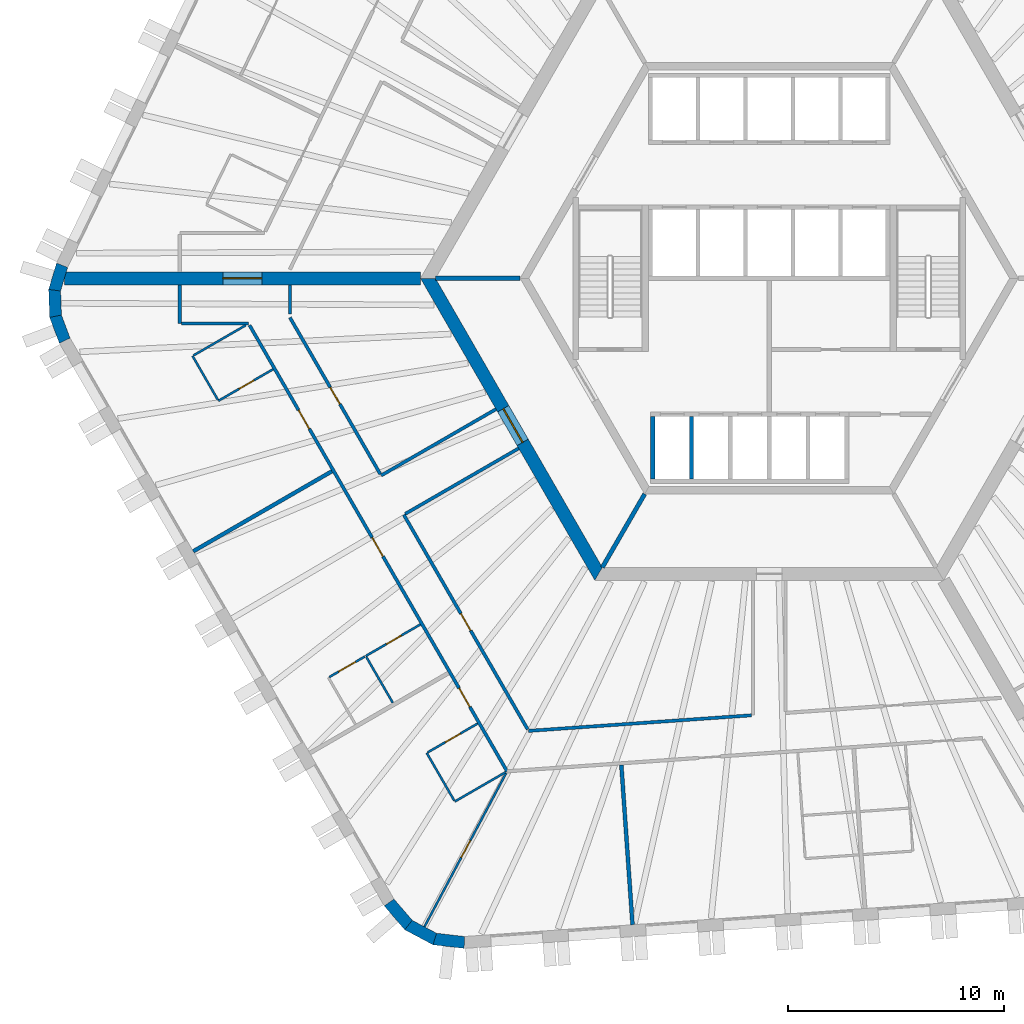
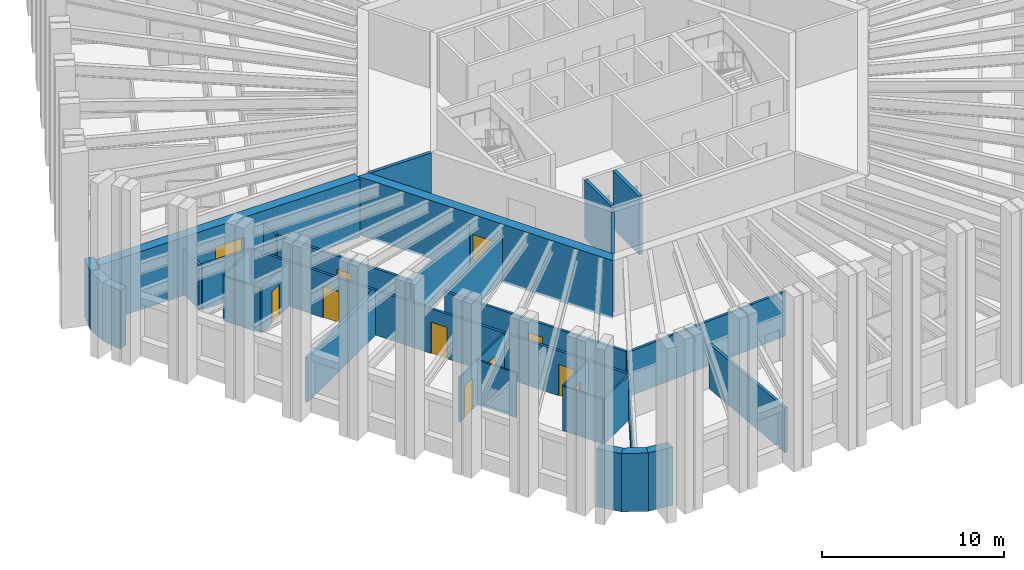
# One storey, part 3 of 12: 33 walls, 12 doors, 12 openings.
"""IFC4 building model written with IfcOpenShell, lengths in metres."""

from ifc_helpers import new_model, si_unit, direction, frame, frame_2d, origin, place, context, subcontext, project, spatial, polyline, rectangle, outline, extrude, material, layer, layer_set, type_object, element, fill, save


model = new_model("IFC4")

# Units and contexts
model_context = context("Model", 3, precision=1e-05, world=origin(), true_north=direction((0.0, 1.0)))
body_context = subcontext(model_context, "Body", "Model", "MODEL_VIEW")
ifc_project = project(units=[si_unit("LENGTHUNIT", "METRE"), si_unit("AREAUNIT", "SQUARE_METRE"), si_unit("VOLUMEUNIT", "CUBIC_METRE"), si_unit("PLANEANGLEUNIT", "RADIAN"), si_unit("MASSUNIT", "GRAM", prefix="KILO")], contexts=[model_context])

# Site, building, storey
site_placement = place(None, origin())
site = spatial("IfcSite", under=ifc_project, at=site_placement, CompositionType="ELEMENT")
building_placement = place(site_placement, origin())
building = spatial("IfcBuilding", under=site, at=building_placement, Name="Tarnside Tower", CompositionType="ELEMENT")
storey_placement = place(building_placement, frame((0.0, 0.0, 37.5)))
storey = spatial("IfcBuildingStorey", under=building, at=storey_placement, Name="L06", CompositionType="ELEMENT", Elevation=37.5)

# Wall, opening, door
ifc_material_1 = material(Name="Gypsum board partition on steel studs", Category="steel")
ifc_layer_1 = layer(ifc_material_1, 0.10009765625)
ifc_layer_set_1 = layer_set([ifc_layer_1], Name="Bathroom wall 100")
wall_type_1 = type_object("IfcWallType", Name="Bathroom wall 100", PredefinedType="PARTITIONING", material=ifc_layer_set_1)
wall_1_placement = place(storey_placement, frame((-22.998291015625, -4.216064453125, 0.0), z_axis=(0.0, 0.0, 1.0), x_axis=(-0.866025730634, -0.499999433879, 0.0)))
wall_1 = element("IfcWall", 1, at=wall_1_placement, inside=storey, type_object=wall_type_1, Name="Bathroom wall 01100", PredefinedType="PARTITIONING", context=body_context, shape_type="SweptSolid", body=[
    extrude(rectangle(XDim=2.9248046875, YDim=0.10009765625, at=frame_2d((1.46240234375, 0.0))), origin(), (0.0, 0.0, 1.0), 2.98779296875),
])
opening_1_placement = place(wall_1_placement, frame((1.02490234375, 0.0, 0.0)))
opening_1 = element("IfcOpeningElement", 2, at=opening_1_placement, cuts=wall_1, Name="Opening D-B1", PredefinedType="OPENING", context=body_context, shape_type="SweptSolid", body=[
    extrude(rectangle(XDim=0.800048828125, YDim=2.10009765625, at=frame_2d((0.39990234375, 1.050048828125))), frame((0.0, 0.06005859375, 0.0), z_axis=(0.0, -1.0, 0.0), x_axis=(1.0, 0.0, 0.0)), (0.0, 0.0, 1.0), 0.1201171875),
])
ifc_material_2 = material(Name="Timber door leaf", Category="wood")
door_type_1 = type_object("IfcDoorType", Name="Bathroom door 800", OperationType="NOTDEFINED", PredefinedType="DOOR", material=ifc_material_2)
door_1_placement = place(opening_1_placement, origin())
door_1 = element("IfcDoor", 3, at=door_1_placement, inside=storey, type_object=door_type_1, Name="Bathroom door 01014", OperationType="SINGLE_SWING_RIGHT", OverallHeight=2.10009765625, OverallWidth=0.800048828125, PredefinedType="DOOR", context=body_context, shape_type="SweptSolid", body=[
    extrude(rectangle(XDim=0.800048828125, YDim=2.10009765625, at=frame_2d((0.39990234375, 1.050048828125))), frame((0.0, 0.02490234375, 0.0), z_axis=(0.0, -1.0, 0.0), x_axis=(1.0, 0.0, 0.0)), (0.0, 0.0, 1.0), 0.050048828125),
])
fill(opening_1, door_1)

# Walls
wall_2_placement = place(storey_placement, frame((-25.556396484375, -5.63525390625, 0.0), z_axis=(0.0, 0.0, 1.0), x_axis=(-0.499938297808, 0.866061024631, 0.0)))
element("IfcWall", 4, at=wall_2_placement, inside=storey, type_object=wall_type_1, Name="Bathroom wall 01101", PredefinedType="PARTITIONING", context=body_context, shape_type="SweptSolid", body=[
    extrude(rectangle(XDim=2.349853515625, YDim=0.10009765625, at=frame_2d((1.1748046875, 0.0))), origin(), (0.0, 0.0, 1.0), 2.98779296875),
])
wall_3_placement = place(storey_placement, frame((-26.68798828125, -3.574951171875, 0.0), z_axis=(0.0, 0.0, 1.0), x_axis=(0.866034573852, 0.49998411664, 0.0)))
element("IfcWall", 5, at=wall_3_placement, inside=storey, type_object=wall_type_1, Name="Bathroom wall 01102", PredefinedType="PARTITIONING", context=body_context, shape_type="SweptSolid", body=[
    extrude(rectangle(XDim=2.7998046875, YDim=0.10009765625, at=frame_2d((1.39990234375, 0.0))), origin(), (0.0, 0.0, 1.0), 2.98779296875),
])

# Wall, opening, door
wall_4_placement = place(storey_placement, frame((-18.701904296875, -17.507568359375, 0.0), z_axis=(0.0, 0.0, 1.0), x_axis=(0.86601045545, 0.500025890382, 0.0)))
wall_4 = element("IfcWall", 6, at=wall_4_placement, inside=storey, type_object=wall_type_1, Name="Bathroom wall 01104", PredefinedType="PARTITIONING", context=body_context, shape_type="SweptSolid", body=[
    extrude(rectangle(XDim=2.925048828125, YDim=0.10009765625, at=frame_2d((1.46240234375, 0.0))), origin(), (0.0, 0.0, 1.0), 2.98779296875),
])
opening_2_placement = place(wall_4_placement, frame((1.10009765625, 0.0, 0.0)))
opening_2 = element("IfcOpeningElement", 7, at=opening_2_placement, cuts=wall_4, Name="Opening D-B1", PredefinedType="OPENING", context=body_context, shape_type="SweptSolid", body=[
    extrude(rectangle(XDim=0.800048828125, YDim=2.10009765625, at=frame_2d((0.39990234375, 1.050048828125))), frame((0.0, 0.06005859375, 0.0), z_axis=(0.0, -1.0, 0.0), x_axis=(1.0, 0.0, 0.0)), (0.0, 0.0, 1.0), 0.1201171875),
])
door_2_placement = place(opening_2_placement, origin())
door_2 = element("IfcDoor", 8, at=door_2_placement, inside=storey, type_object=door_type_1, Name="Bathroom door 01016", OperationType="SINGLE_SWING_LEFT", OverallHeight=2.10009765625, OverallWidth=0.800048828125, PredefinedType="DOOR", context=body_context, shape_type="SweptSolid", body=[
    extrude(rectangle(XDim=0.800048828125, YDim=2.10009765625, at=frame_2d((0.39990234375, 1.050048828125))), frame((0.0, 0.02490234375, 0.0), z_axis=(0.0, -1.0, 0.0), x_axis=(1.0, 0.0, 0.0)), (0.0, 0.0, 1.0), 0.050048828125),
])
fill(opening_2, door_2)

# Walls
wall_5_placement = place(storey_placement, frame((-18.6767578125, -17.55078125, 0.0), z_axis=(0.0, 0.0, 1.0), x_axis=(0.500003092839, -0.866023618125, 0.0)))
element("IfcWall", 9, at=wall_5_placement, inside=storey, type_object=wall_type_1, Name="Bathroom wall 01108", PredefinedType="PARTITIONING", context=body_context, shape_type="SweptSolid", body=[
    extrude(rectangle(XDim=2.4599609375, YDim=0.10009765625, at=frame_2d((1.22998046875, 0.0))), origin(), (0.0, 0.0, 1.0), 2.98779296875),
])
wall_6_placement = place(storey_placement, frame((-12.21630859375, -22.890869140625, 0.0), z_axis=(0.0, 0.0, 1.0), x_axis=(-0.866012511928, -0.500022328685, 0.0)))
element("IfcWall", 10, at=wall_6_placement, inside=storey, type_object=wall_type_1, Name="Bathroom wall 01111", PredefinedType="PARTITIONING", context=body_context, shape_type="SweptSolid", body=[
    extrude(rectangle(XDim=2.72509765625, YDim=0.10009765625, at=frame_2d((1.362548828125, 0.0))), origin(), (0.0, 0.0, 1.0), 2.98779296875),
])
wall_7_placement = place(storey_placement, frame((-14.60107421875, -24.2099609375, 0.0), z_axis=(0.0, 0.0, 1.0), x_axis=(-0.500062241894, 0.865989465428, 0.0)))
element("IfcWall", 11, at=wall_7_placement, inside=storey, type_object=wall_type_1, Name="Bathroom wall 01112", PredefinedType="PARTITIONING", context=body_context, shape_type="SweptSolid", body=[
    extrude(rectangle(XDim=2.550048828125, YDim=0.10009765625, at=frame_2d((1.27490234375, 0.0))), origin(), (0.0, 0.0, 1.0), 2.98779296875),
])

# Wall, opening, door
wall_8_placement = place(storey_placement, frame((-15.8330078125, -21.9765625, 0.0), z_axis=(0.0, 0.0, 1.0), x_axis=(0.86604424267, 0.499967368674, 0.0)))
wall_8 = element("IfcWall", 12, at=wall_8_placement, inside=storey, type_object=wall_type_1, Name="Bathroom wall 01113", PredefinedType="PARTITIONING", context=body_context, shape_type="SweptSolid", body=[
    extrude(rectangle(XDim=2.675048828125, YDim=0.10009765625, at=frame_2d((1.33740234375, 0.0))), origin(), (0.0, 0.0, 1.0), 2.98779296875),
])
opening_3_placement = place(wall_8_placement, frame((0.949951171875, 0.0, 0.0)))
opening_3 = element("IfcOpeningElement", 13, at=opening_3_placement, cuts=wall_8, Name="Opening D-B1", PredefinedType="OPENING", context=body_context, shape_type="SweptSolid", body=[
    extrude(rectangle(XDim=0.800048828125, YDim=2.10009765625, at=frame_2d((0.39990234375, 1.050048828125))), frame((0.0, 0.06005859375, 0.0), z_axis=(0.0, -1.0, 0.0), x_axis=(1.0, 0.0, 0.0)), (0.0, 0.0, 1.0), 0.1201171875),
])
door_3_placement = place(opening_3_placement, origin())
door_3 = element("IfcDoor", 14, at=door_3_placement, inside=storey, type_object=door_type_1, Name="Bathroom door 01019", OperationType="SINGLE_SWING_LEFT", OverallHeight=2.10009765625, OverallWidth=0.800048828125, PredefinedType="DOOR", context=body_context, shape_type="SweptSolid", body=[
    extrude(rectangle(XDim=0.800048828125, YDim=2.10009765625, at=frame_2d((0.39990234375, 1.050048828125))), frame((0.0, 0.02490234375, 0.0), z_axis=(0.0, -1.0, 0.0), x_axis=(1.0, 0.0, 0.0)), (0.0, 0.0, 1.0), 0.050048828125),
])
fill(opening_3, door_3)

ifc_material_3 = material(Name="Concrete C80/95", Category="concrete")
ifc_layer_2 = layer(ifc_material_3, 0.60009765625)
ifc_layer_set_2 = layer_set([ifc_layer_2], Name="Core wall Z1 600 C80/95")
wall_type_2 = type_object("IfcWallType", Name="Core wall Z1 600 C80/95", PredefinedType="SHEAR", material=ifc_layer_set_2)
wall_9_placement = place(storey_placement, frame((-15.8193359375, 0.0, -0.14990234375), z_axis=(0.0, 0.0, 1.0), x_axis=(0.499999880136, -0.866025472988, 0.0)))
wall_9 = element("IfcWall", 15, at=wall_9_placement, inside=storey, type_object=wall_type_2, Name="L06 core wall face 3", PredefinedType="SHEAR", context=body_context, shape_type="SweptSolid", body=[
    extrude(outline(polyline([(-0.17333984375, -0.300048828125), (15.99267578125, -0.300048828125), (15.64599609375, 0.300048828125), (0.17333984375, 0.300048828125), (-0.17333984375, -0.300048828125)])), origin(), (0.0, 0.0, 1.0), 3.89990234375),
])
opening_4_placement = place(wall_9_placement, frame((6.980712890625, 0.0, 0.14990234375)))
opening_4 = element("IfcOpeningElement", 16, at=opening_4_placement, cuts=wall_9, Name="Opening CD-FFL", PredefinedType="OPENING", context=body_context, shape_type="SweptSolid", body=[
    extrude(rectangle(XDim=1.800048828125, YDim=2.39990234375, at=frame_2d((0.89990234375, 1.199951171875))), frame((0.0, 0.31005859375, 0.0), z_axis=(0.0, -1.0, 0.0), x_axis=(1.0, 0.0, 0.0)), (0.0, 0.0, 1.0), 0.6201171875),
])
ifc_material_4 = material(Name="Steel fire door", Category="steel")
door_type_2 = type_object("IfcDoorType", Name="Firefighting lobby double door FD60S 1800x2400", OperationType="NOTDEFINED", PredefinedType="DOOR", material=ifc_material_4)
door_4_placement = place(opening_4_placement, origin())
door_4 = element("IfcDoor", 17, at=door_4_placement, inside=storey, type_object=door_type_2, Name="L06 core door P3", OperationType="DOUBLE_DOOR_SINGLE_SWING", OverallHeight=2.39990234375, OverallWidth=1.800048828125, PredefinedType="DOOR", context=body_context, shape_type="SweptSolid", body=[
    extrude(rectangle(XDim=1.800048828125, YDim=2.39990234375, at=frame_2d((0.89990234375, 1.199951171875))), frame((0.0, 0.02490234375, 0.0), z_axis=(0.0, -1.0, 0.0), x_axis=(1.0, 0.0, 0.0)), (0.0, 0.0, 1.0), 0.050048828125),
])
fill(opening_4, door_4)

wall_10_placement = place(storey_placement, frame((-16.165771484375, 0.0, -0.14990234375), z_axis=(0.0, 0.0, 1.0), x_axis=(-1.0, 0.0, 0.0)))
wall_10 = element("IfcWall", 18, at=wall_10_placement, inside=storey, type_object=wall_type_2, Name="L06 spine wall 2", PredefinedType="SHEAR", context=body_context, shape_type="SweptSolid", body=[
    extrude(rectangle(XDim=16.509033203125, YDim=0.60009765625, at=frame_2d((8.25439453125, 0.0))), origin(), (0.0, 0.0, 1.0), 3.89990234375),
])
opening_5_placement = place(wall_10_placement, frame((7.3544921875, 0.0, 0.14990234375)))
opening_5 = element("IfcOpeningElement", 19, at=opening_5_placement, cuts=wall_10, Name="Opening CD-SPN", PredefinedType="OPENING", context=body_context, shape_type="SweptSolid", body=[
    extrude(rectangle(XDim=1.800048828125, YDim=2.39990234375, at=frame_2d((0.89990234375, 1.199951171875))), frame((0.0, 0.31005859375, 0.0), z_axis=(0.0, -1.0, 0.0), x_axis=(1.0, 0.0, 0.0)), (0.0, 0.0, 1.0), 0.6201171875),
])
door_type_3 = type_object("IfcDoorType", Name="Spine passage double door FD60 1800x2400", OperationType="NOTDEFINED", PredefinedType="DOOR", material=ifc_material_4)
door_5_placement = place(opening_5_placement, origin())
door_5 = element("IfcDoor", 20, at=door_5_placement, inside=storey, type_object=door_type_3, Name="L06 spine passage door 2", OperationType="DOUBLE_DOOR_SINGLE_SWING", OverallHeight=2.39990234375, OverallWidth=1.800048828125, PredefinedType="DOOR", context=body_context, shape_type="SweptSolid", body=[
    extrude(rectangle(XDim=1.800048828125, YDim=2.39990234375, at=frame_2d((0.89990234375, 1.199951171875))), frame((0.0, 0.02490234375, 0.0), z_axis=(0.0, -1.0, 0.0), x_axis=(1.0, 0.0, 0.0)), (0.0, 0.0, 1.0), 0.050048828125),
])
fill(opening_5, door_5)

# Walls
ifc_layer_3 = layer(ifc_material_1, 0.14990234375)
ifc_layer_set_3 = layer_set([ifc_layer_3], Name="Corridor wall 150 EI 60")
wall_type_3 = type_object("IfcWallType", Name="Corridor wall 150 EI 60", PredefinedType="PARTITIONING", material=ifc_layer_set_3)
wall_11_placement = place(storey_placement, frame((-27.3203125, -0.300048828125, 0.0), z_axis=(0.0, 0.0, 1.0), x_axis=(0.0, -1.0, 0.0)))
element("IfcWall", 21, at=wall_11_placement, inside=storey, type_object=wall_type_3, Name="Corridor wall 01025", PredefinedType="PARTITIONING", context=body_context, shape_type="SweptSolid", body=[
    extrude(rectangle(XDim=1.800048828125, YDim=0.14990234375, at=frame_2d((0.89990234375, 0.0))), origin(), (0.0, 0.0, 1.0), 2.98779296875),
])
wall_12_placement = place(storey_placement, frame((-27.245361328125, -2.10009765625, 0.0), z_axis=(0.0, 0.0, 1.0), x_axis=(1.0, 0.0, 0.0)))
element("IfcWall", 22, at=wall_12_placement, inside=storey, type_object=wall_type_3, Name="Corridor wall 01026", PredefinedType="PARTITIONING", context=body_context, shape_type="SweptSolid", body=[
    extrude(rectangle(XDim=3.112060546875, YDim=0.14990234375, at=frame_2d((1.55615234375, 0.0))), origin(), (0.0, 0.0, 1.0), 2.98779296875),
])

# Wall, openings, doors
wall_13_placement = place(storey_placement, frame((-24.08984375, -2.175048828125, 0.0), z_axis=(0.0, 0.0, 1.0), x_axis=(0.499996832073, -0.86602723278, 0.0)))
wall_13 = element("IfcWall", 23, at=wall_13_placement, inside=storey, type_object=wall_type_3, Name="Corridor wall 01027", PredefinedType="PARTITIONING", context=body_context, shape_type="SweptSolid", body=[
    extrude(rectangle(XDim=23.877197265625, YDim=0.14990234375, at=frame_2d((11.9384765625, 0.0))), origin(), (0.0, 0.0, 1.0), 2.98779296875),
])
opening_6_placement = place(wall_13_placement, frame((4.54296875, 0.0, 0.0)))
opening_6 = element("IfcOpeningElement", 24, at=opening_6_placement, cuts=wall_13, Name="Opening D-E1", PredefinedType="OPENING", context=body_context, shape_type="SweptSolid", body=[
    extrude(rectangle(XDim=1.0, YDim=2.10009765625, at=frame_2d((0.5, 1.050048828125))), frame((0.0, 0.0849609375, 0.0), z_axis=(0.0, -1.0, 0.0), x_axis=(1.0, 0.0, 0.0)), (0.0, 0.0, 1.0), 0.169921875),
])
opening_7_placement = place(wall_13_placement, frame((11.372314453125, 0.0, 0.0)))
opening_7 = element("IfcOpeningElement", 25, at=opening_7_placement, cuts=wall_13, Name="Opening D-E1", PredefinedType="OPENING", context=body_context, shape_type="SweptSolid", body=[
    extrude(rectangle(XDim=1.0, YDim=2.10009765625, at=frame_2d((0.5, 1.050048828125))), frame((0.0, 0.0849609375, 0.0), z_axis=(0.0, -1.0, 0.0), x_axis=(1.0, 0.0, 0.0)), (0.0, 0.0, 1.0), 0.169921875),
])
opening_8_placement = place(wall_13_placement, frame((19.4248046875, 0.0, 0.0)))
opening_8 = element("IfcOpeningElement", 26, at=opening_8_placement, cuts=wall_13, Name="Opening D-E1", PredefinedType="OPENING", context=body_context, shape_type="SweptSolid", body=[
    extrude(rectangle(XDim=1.0, YDim=2.10009765625, at=frame_2d((0.5, 1.050048828125))), frame((0.0, 0.0849609375, 0.0), z_axis=(0.0, -1.0, 0.0), x_axis=(1.0, 0.0, 0.0)), (0.0, 0.0, 1.0), 0.169921875),
])
door_type_4 = type_object("IfcDoorType", Name="Unit entrance door 1000 FD30S", OperationType="NOTDEFINED", PredefinedType="DOOR", material=ifc_material_2)
door_6_placement = place(opening_6_placement, origin())
door_6 = element("IfcDoor", 27, at=door_6_placement, inside=storey, type_object=door_type_4, Name="Unit door 01013", OperationType="SINGLE_SWING_RIGHT", OverallHeight=2.10009765625, OverallWidth=1.0, PredefinedType="DOOR", context=body_context, shape_type="SweptSolid", body=[
    extrude(rectangle(XDim=1.0, YDim=2.10009765625, at=frame_2d((0.5, 1.050048828125))), frame((0.0, 0.02490234375, 0.0), z_axis=(0.0, -1.0, 0.0), x_axis=(1.0, 0.0, 0.0)), (0.0, 0.0, 1.0), 0.050048828125),
])
fill(opening_6, door_6)
door_7_placement = place(opening_7_placement, origin())
door_7 = element("IfcDoor", 28, at=door_7_placement, inside=storey, type_object=door_type_4, Name="Unit door 01015", OperationType="SINGLE_SWING_RIGHT", OverallHeight=2.10009765625, OverallWidth=1.0, PredefinedType="DOOR", context=body_context, shape_type="SweptSolid", body=[
    extrude(rectangle(XDim=1.0, YDim=2.10009765625, at=frame_2d((0.5, 1.050048828125))), frame((0.0, 0.02490234375, 0.0), z_axis=(0.0, -1.0, 0.0), x_axis=(1.0, 0.0, 0.0)), (0.0, 0.0, 1.0), 0.050048828125),
])
fill(opening_7, door_7)
door_8_placement = place(opening_8_placement, origin())
door_8 = element("IfcDoor", 29, at=door_8_placement, inside=storey, type_object=door_type_4, Name="Unit door 01018", OperationType="SINGLE_SWING_RIGHT", OverallHeight=2.10009765625, OverallWidth=1.0, PredefinedType="DOOR", context=body_context, shape_type="SweptSolid", body=[
    extrude(rectangle(XDim=1.0, YDim=2.10009765625, at=frame_2d((0.5, 1.050048828125))), frame((0.0, 0.02490234375, 0.0), z_axis=(0.0, -1.0, 0.0), x_axis=(1.0, 0.0, 0.0)), (0.0, 0.0, 1.0), 0.050048828125),
])
fill(opening_8, door_8)

# Wall
wall_14_placement = place(storey_placement, frame((-12.663818359375, -6.065673828125, 0.0), z_axis=(0.0, 0.0, 1.0), x_axis=(-0.866023618125, -0.500003092839, 0.0)))
element("IfcWall", 30, at=wall_14_placement, inside=storey, type_object=wall_type_3, Name="Corridor wall 01040", PredefinedType="PARTITIONING", context=body_context, shape_type="SweptSolid", body=[
    extrude(rectangle(XDim=6.14990234375, YDim=0.14990234375, at=frame_2d((3.074951171875, 0.0))), origin(), (0.0, 0.0, 1.0), 2.98779296875),
])

# Wall, opening, door
wall_15_placement = place(storey_placement, frame((-18.02734375, -9.07568359375, 0.0), z_axis=(0.0, 0.0, 1.0), x_axis=(-0.500007318041, 0.86602117867, 0.0)))
wall_15 = element("IfcWall", 31, at=wall_15_placement, inside=storey, type_object=wall_type_3, Name="Corridor wall 01041", PredefinedType="PARTITIONING", context=body_context, shape_type="SweptSolid", body=[
    extrude(rectangle(XDim=8.383056640625, YDim=0.14990234375, at=frame_2d((4.19140625, 0.0))), origin(), (0.0, 0.0, 1.0), 2.98779296875),
])
opening_9_placement = place(wall_15_placement, frame((3.74169921875, 0.0, 0.0)))
opening_9 = element("IfcOpeningElement", 32, at=opening_9_placement, cuts=wall_15, Name="Opening D-S1", PredefinedType="OPENING", context=body_context, shape_type="SweptSolid", body=[
    extrude(rectangle(XDim=0.89990234375, YDim=2.10009765625, at=frame_2d((0.449951171875, 1.050048828125))), frame((0.0, 0.0849609375, 0.0), z_axis=(0.0, -1.0, 0.0), x_axis=(1.0, 0.0, 0.0)), (0.0, 0.0, 1.0), 0.169921875),
])
door_type_5 = type_object("IfcDoorType", Name="Service room door 900 FD30S", OperationType="NOTDEFINED", PredefinedType="DOOR", material=ifc_material_2)
door_9_placement = place(opening_9_placement, origin())
door_9 = element("IfcDoor", 33, at=door_9_placement, inside=storey, type_object=door_type_5, Name="Service door 01045", OperationType="SINGLE_SWING_RIGHT", OverallHeight=2.10009765625, OverallWidth=0.89990234375, PredefinedType="DOOR", context=body_context, shape_type="SweptSolid", body=[
    extrude(rectangle(XDim=0.89990234375, YDim=2.10009765625, at=frame_2d((0.449951171875, 1.050048828125))), frame((0.0, 0.02490234375, 0.0), z_axis=(0.0, -1.0, 0.0), x_axis=(1.0, 0.0, 0.0)), (0.0, 0.0, 1.0), 0.050048828125),
])
fill(opening_9, door_9)

# Walls
wall_16_placement = place(storey_placement, frame((-22.218994140625, -1.665771484375, 0.0), z_axis=(0.0, 0.0, 1.0), x_axis=(0.0, 1.0, 0.0)))
element("IfcWall", 34, at=wall_16_placement, inside=storey, type_object=wall_type_3, Name="Corridor wall 01042", PredefinedType="PARTITIONING", context=body_context, shape_type="SweptSolid", body=[
    extrude(rectangle(XDim=1.36572265625, YDim=0.14990234375, at=frame_2d((0.682861328125, 0.0))), origin(), (0.0, 0.0, 1.0), 2.98779296875),
])
wall_17_placement = place(storey_placement, frame((-0.824951171875, -20.2568359375, 0.0), z_axis=(0.0, 0.0, 1.0), x_axis=(-0.9975635143, -0.069764137903, 0.0)))
element("IfcWall", 35, at=wall_17_placement, inside=storey, type_object=wall_type_3, Name="Corridor wall 01044", PredefinedType="PARTITIONING", context=body_context, shape_type="SweptSolid", body=[
    extrude(rectangle(XDim=10.35498046875, YDim=0.14990234375, at=frame_2d((5.177490234375, 0.0))), origin(), (0.0, 0.0, 1.0), 2.98779296875),
])

# Wall, opening, door
wall_18_placement = place(storey_placement, frame((-11.196533203125, -20.906982421875, 0.0), z_axis=(0.0, 0.0, 1.0), x_axis=(-0.500004557924, 0.86602277225, 0.0)))
wall_18 = element("IfcWall", 36, at=wall_18_placement, inside=storey, type_object=wall_type_3, Name="Corridor wall 01045", PredefinedType="PARTITIONING", context=body_context, shape_type="SweptSolid", body=[
    extrude(rectangle(XDim=11.48681640625, YDim=0.14990234375, at=frame_2d((5.743408203125, 0.0))), origin(), (0.0, 0.0, 1.0), 2.98779296875),
])
opening_10_placement = place(wall_18_placement, frame((5.293212890625, 0.0, 0.0)))
opening_10 = element("IfcOpeningElement", 37, at=opening_10_placement, cuts=wall_18, Name="Opening D-S1", PredefinedType="OPENING", context=body_context, shape_type="SweptSolid", body=[
    extrude(rectangle(XDim=0.89990234375, YDim=2.10009765625, at=frame_2d((0.449951171875, 1.050048828125))), frame((0.0, 0.0849609375, 0.0), z_axis=(0.0, -1.0, 0.0), x_axis=(1.0, 0.0, 0.0)), (0.0, 0.0, 1.0), 0.169921875),
])
door_10_placement = place(opening_10_placement, origin())
door_10 = element("IfcDoor", 38, at=door_10_placement, inside=storey, type_object=door_type_5, Name="Service door 01046", OperationType="SINGLE_SWING_RIGHT", OverallHeight=2.10009765625, OverallWidth=0.89990234375, PredefinedType="DOOR", context=body_context, shape_type="SweptSolid", body=[
    extrude(rectangle(XDim=0.89990234375, YDim=2.10009765625, at=frame_2d((0.449951171875, 1.050048828125))), frame((0.0, 0.02490234375, 0.0), z_axis=(0.0, -1.0, 0.0), x_axis=(1.0, 0.0, 0.0)), (0.0, 0.0, 1.0), 0.050048828125),
])
fill(opening_10, door_10)

# Walls
wall_19_placement = place(storey_placement, frame((-16.875, -10.921875, 0.0), z_axis=(0.0, 0.0, 1.0), x_axis=(0.866023634079, 0.500003065207, 0.0)))
element("IfcWall", 39, at=wall_19_placement, inside=storey, type_object=wall_type_3, Name="Corridor wall 01046", PredefinedType="PARTITIONING", context=body_context, shape_type="SweptSolid", body=[
    extrude(rectangle(XDim=6.0751953125, YDim=0.14990234375, at=frame_2d((3.03759765625, 0.0))), origin(), (0.0, 0.0, 1.0), 2.98779296875),
])
ifc_layer_4 = layer(ifc_material_1, 0.179931640625)
ifc_layer_set_4 = layer_set([ifc_layer_4], Name="Demising wall 180 EI 60")
wall_type_4 = type_object("IfcWallType", Name="Demising wall 180 EI 60", PredefinedType="PARTITIONING", material=ifc_layer_set_4)
wall_20_placement = place(storey_placement, frame((-26.698974609375, -12.656005859375, 0.0), z_axis=(0.0, 0.0, 1.0), x_axis=(0.866028983062, 0.499993800457, 0.0)))
element("IfcWall", 40, at=wall_20_placement, inside=storey, type_object=wall_type_4, Name="Demising wall 01103", PredefinedType="PARTITIONING", context=body_context, shape_type="SweptSolid", body=[
    extrude(rectangle(XDim=7.4248046875, YDim=0.179931640625, at=frame_2d((3.71240234375, 0.0))), origin(), (0.0, 0.0, 1.0), 2.98779296875),
])
wall_21_placement = place(storey_placement, frame((-6.336181640625, -29.965087890625, 0.0), z_axis=(0.0, 0.0, 1.0), x_axis=(-0.06977252161, 0.997562927954, 0.0)))
element("IfcWall", 41, at=wall_21_placement, inside=storey, type_object=wall_type_4, Name="Demising wall 01115", PredefinedType="PARTITIONING", context=body_context, shape_type="SweptSolid", body=[
    extrude(rectangle(XDim=7.425048828125, YDim=0.179931640625, at=frame_2d((3.71240234375, 0.0))), origin(), (0.0, 0.0, 1.0), 2.98779296875),
])
ifc_material_5 = material(Name="Concrete C40/50", Category="concrete")
ifc_layer_5 = layer(ifc_material_5, 0.199951171875)
ifc_layer_set_5 = layer_set([ifc_layer_5], Name="Lift shaft wall 200 C40/50")
wall_type_5 = type_object("IfcWallType", Name="Lift shaft wall 200 C40/50", PredefinedType="SHEAR", material=ifc_layer_set_5)
for number, where, z_axis, x_axis, name in (
    (42, (-5.39990234375, -9.300048828125, -0.25), (0.0, 0.0, 1.0), (0.0, 1.0, 0.0), "L06 lift shaft partition R41"),
    (43, (-3.60009765625, -9.300048828125, -0.25), (0.0, 0.0, 1.0), (0.0, 1.0, 0.0), "L06 lift shaft partition R42"),
):
    element("IfcWall", number, at=place(storey_placement, frame(where, z_axis=z_axis, x_axis=x_axis)), inside=storey, type_object=wall_type_5, Name=name, PredefinedType="SHEAR", context=body_context, shape_type="SweptSolid", body=[
        extrude(rectangle(XDim=2.900146484375, YDim=0.199951171875, at=frame_2d((1.4501953125, 0.0))), origin(), (0.0, 0.0, 1.0), 3.89990234375),
    ])
wall_22_placement = place(storey_placement, frame((-11.547119140625, 0.0, -0.14990234375), z_axis=(0.0, 0.0, 1.0), x_axis=(-1.0, 0.0, 0.0)))
element("IfcWall", 44, at=wall_22_placement, inside=storey, type_object=wall_type_5, Name="L06 core partition AR180", PredefinedType="SHEAR", context=body_context, shape_type="SweptSolid", body=[
    extrude(rectangle(XDim=3.92578125, YDim=0.199951171875, at=frame_2d((1.962890625, 0.0))), origin(), (0.0, 0.0, 1.0), 3.89990234375),
])
wall_23_placement = place(storey_placement, frame((-5.7734375, -10.0, -0.14990234375), z_axis=(0.0, 0.0, 1.0), x_axis=(-0.500038251005, -0.86600331843, 0.0)))
element("IfcWall", 45, at=wall_23_placement, inside=storey, type_object=wall_type_5, Name="L06 core partition AR240", PredefinedType="SHEAR", context=body_context, shape_type="SweptSolid", body=[
    extrude(rectangle(XDim=3.926025390625, YDim=0.199951171875, at=frame_2d((1.962890625, 0.0))), origin(), (0.0, 0.0, 1.0), 3.89990234375),
])

# Wall, opening, door
ifc_layer_6 = layer(ifc_material_1, 0.10009765625)
ifc_layer_set_6 = layer_set([ifc_layer_6], Name="Partition 100")
wall_type_6 = type_object("IfcWallType", Name="Partition 100", PredefinedType="PARTITIONING", material=ifc_layer_set_6)
wall_24_placement = place(storey_placement, frame((-20.390625, -18.482421875, 0.0), z_axis=(0.0, 0.0, 1.0), x_axis=(0.866044365799, 0.499967155389, 0.0)))
wall_24 = element("IfcWall", 46, at=wall_24_placement, inside=storey, type_object=wall_type_6, Name="Partition wall 01106", PredefinedType="PARTITIONING", context=body_context, shape_type="SweptSolid", body=[
    extrude(rectangle(XDim=1.900146484375, YDim=0.10009765625, at=frame_2d((0.9501953125, 0.0))), origin(), (0.0, 0.0, 1.0), 2.98779296875),
])
opening_11_placement = place(wall_24_placement, frame((0.5, 0.0, 0.0)))
opening_11 = element("IfcOpeningElement", 47, at=opening_11_placement, cuts=wall_24, Name="Opening D-I1", PredefinedType="OPENING", context=body_context, shape_type="SweptSolid", body=[
    extrude(rectangle(XDim=0.89990234375, YDim=2.10009765625, at=frame_2d((0.449951171875, 1.050048828125))), frame((0.0, 0.06005859375, 0.0), z_axis=(0.0, -1.0, 0.0), x_axis=(1.0, 0.0, 0.0)), (0.0, 0.0, 1.0), 0.1201171875),
])
door_type_6 = type_object("IfcDoorType", Name="Internal door 900", OperationType="NOTDEFINED", PredefinedType="DOOR", material=ifc_material_2)
door_11_placement = place(opening_11_placement, origin())
door_11 = element("IfcDoor", 48, at=door_11_placement, inside=storey, type_object=door_type_6, Name="Internal door 01017", OperationType="SINGLE_SWING_RIGHT", OverallHeight=2.10009765625, OverallWidth=0.89990234375, PredefinedType="DOOR", context=body_context, shape_type="SweptSolid", body=[
    extrude(rectangle(XDim=0.89990234375, YDim=2.10009765625, at=frame_2d((0.449951171875, 1.050048828125))), frame((0.0, 0.02490234375, 0.0), z_axis=(0.0, -1.0, 0.0), x_axis=(1.0, 0.0, 0.0)), (0.0, 0.0, 1.0), 0.050048828125),
])
fill(opening_11, door_11)

wall_25_placement = place(storey_placement, frame((-15.98291015625, -30.059326171875, 0.0), z_axis=(0.0, 0.0, 1.0), x_axis=(0.469476547643, 0.882944942346, 0.0)))
wall_25 = element("IfcWall", 49, at=wall_25_placement, inside=storey, type_object=wall_type_6, Name="Partition wall 01114", PredefinedType="PARTITIONING", context=body_context, shape_type="SweptSolid", body=[
    extrude(rectangle(XDim=8.072998046875, YDim=0.10009765625, at=frame_2d((4.03662109375, 0.0))), origin(), (0.0, 0.0, 1.0), 2.98779296875),
])
opening_12_placement = place(wall_25_placement, frame((3.630615234375, 0.0, 0.0)))
opening_12 = element("IfcOpeningElement", 50, at=opening_12_placement, cuts=wall_25, Name="Opening D-I1", PredefinedType="OPENING", context=body_context, shape_type="SweptSolid", body=[
    extrude(rectangle(XDim=0.89990234375, YDim=2.10009765625, at=frame_2d((0.449951171875, 1.050048828125))), frame((0.0, 0.06005859375, 0.0), z_axis=(0.0, -1.0, 0.0), x_axis=(1.0, 0.0, 0.0)), (0.0, 0.0, 1.0), 0.1201171875),
])
door_12_placement = place(opening_12_placement, origin())
door_12 = element("IfcDoor", 51, at=door_12_placement, inside=storey, type_object=door_type_6, Name="Internal door 01020", OperationType="SINGLE_SWING_LEFT", OverallHeight=2.10009765625, OverallWidth=0.89990234375, PredefinedType="DOOR", context=body_context, shape_type="SweptSolid", body=[
    extrude(rectangle(XDim=0.89990234375, YDim=2.10009765625, at=frame_2d((0.449951171875, 1.050048828125))), frame((0.0, 0.02490234375, 0.0), z_axis=(0.0, -1.0, 0.0), x_axis=(1.0, 0.0, 0.0)), (0.0, 0.0, 1.0), 0.050048828125),
])
fill(opening_12, door_12)

# Walls
ifc_material_6 = material(Name="Facing brick", Category="masonry")
ifc_layer_7 = layer(ifc_material_6, 0.10205078125)
ifc_material_7 = material(Name="Concrete C60/75 precast", Category="concrete")
ifc_layer_8 = layer(ifc_material_7, 0.347900390625)
ifc_material_8 = material(Name="Mineral wool insulation")
ifc_layer_9 = layer(ifc_material_8, 0.10009765625)
ifc_layer_set_7 = layer_set([ifc_layer_7, ifc_layer_8, ifc_layer_9], Name="Tube wall 550 brick faced")
wall_type_7 = type_object("IfcWallType", Name="Tube wall 550 brick faced", PredefinedType="SOLIDWALL", material=ifc_layer_set_7)
wall_26_placement = place(storey_placement, frame((-32.77685546875, 0.605224609375, -0.14990234375), z_axis=(0.0, 0.0, 1.0), x_axis=(-0.286921497463, -0.957954098219, 0.0)))
element("IfcWall", 52, at=wall_26_placement, inside=storey, type_object=wall_type_7, Name="Tube wall L06 F2 chord 05", PredefinedType="SOLIDWALL", context=body_context, shape_type="SweptSolid", body=[
    extrude(outline(polyline([(-0.0224609375, -0.27490234375), (1.25341796875, -0.27490234375), (1.1630859375, 0.27490234375), (0.0224609375, 0.27490234375), (-0.0224609375, -0.27490234375)])), origin(), (0.0, 0.0, 1.0), 3.89990234375),
])
wall_27_placement = place(storey_placement, frame((-33.12353515625, -0.55224609375, -0.14990234375), z_axis=(0.0, 0.0, 1.0), x_axis=(0.03495638276, -0.999388838893, 0.0)))
element("IfcWall", 53, at=wall_27_placement, inside=storey, type_object=wall_type_7, Name="Tube wall L06 F2 chord 06", PredefinedType="SOLIDWALL", context=body_context, shape_type="SweptSolid", body=[
    extrude(outline(polyline([(-0.045166015625, -0.27490234375), (1.25341796875, -0.27490234375), (1.1630859375, 0.27490234375), (0.045166015625, 0.27490234375), (-0.045166015625, -0.27490234375)])), origin(), (0.0, 0.0, 1.0), 3.89990234375),
])
wall_28_placement = place(storey_placement, frame((-33.081298828125, -1.759765625, -0.14990234375), z_axis=(0.0, 0.0, 1.0), x_axis=(0.353027214741, -0.935613053378, 0.0)))
element("IfcWall", 54, at=wall_28_placement, inside=storey, type_object=wall_type_7, Name="Tube wall L06 F2 chord 07", PredefinedType="SOLIDWALL", context=body_context, shape_type="SweptSolid", body=[
    extrude(outline(polyline([(-0.045166015625, -0.27490234375), (1.230712890625, -0.27490234375), (1.185791015625, 0.27490234375), (0.045166015625, 0.27490234375), (-0.045166015625, -0.27490234375)])), origin(), (0.0, 0.0, 1.0), 3.89990234375),
])
wall_29_placement = place(storey_placement, frame((-17.619384765625, -28.932373046875, -0.14990234375), z_axis=(0.0, 0.0, 1.0), x_axis=(0.651621950847, -0.758543890078, 0.0)))
element("IfcWall", 55, at=wall_29_placement, inside=storey, type_object=wall_type_7, Name="Tube wall L06 F3 chord 09", PredefinedType="SOLIDWALL", context=body_context, shape_type="SweptSolid", body=[
    extrude(outline(polyline([(-0.025634765625, -0.27490234375), (1.430908203125, -0.27490234375), (1.327392578125, 0.27490234375), (0.025634765625, 0.27490234375), (-0.025634765625, -0.27490234375)])), origin(), (0.0, 0.0, 1.0), 3.89990234375),
])
wall_30_placement = place(storey_placement, frame((-16.720703125, -29.978515625, -0.14990234375), z_axis=(0.0, 0.0, 1.0), x_axis=(0.882994189209, -0.469383917304, 0.0)))
element("IfcWall", 56, at=wall_30_placement, inside=storey, type_object=wall_type_7, Name="Tube wall L06 F3 chord 10", PredefinedType="SOLIDWALL", context=body_context, shape_type="SweptSolid", body=[
    extrude(outline(polyline([(-0.0517578125, -0.27490234375), (1.4306640625, -0.27490234375), (1.3271484375, 0.27490234375), (0.0517578125, 0.27490234375), (-0.0517578125, -0.27490234375)])), origin(), (0.0, 0.0, 1.0), 3.89990234375),
])
wall_31_placement = place(storey_placement, frame((-15.503173828125, -30.625732421875, -0.14990234375), z_axis=(0.0, 0.0, 1.0), x_axis=(0.993232537394, -0.11614269956, 0.0)))
element("IfcWall", 57, at=wall_31_placement, inside=storey, type_object=wall_type_7, Name="Tube wall L06 F3 chord 11", PredefinedType="SOLIDWALL", context=body_context, shape_type="SweptSolid", body=[
    extrude(outline(polyline([(-0.0517578125, -0.27490234375), (1.404541015625, -0.27490234375), (1.353271484375, 0.27490234375), (0.0517578125, 0.27490234375), (-0.0517578125, -0.27490234375)])), origin(), (0.0, 0.0, 1.0), 3.89990234375),
])

save(model, "model.ifc")
